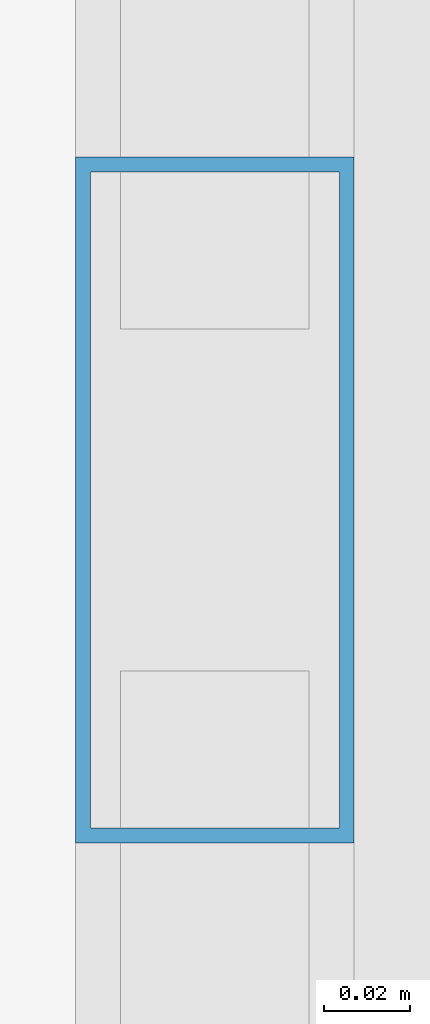
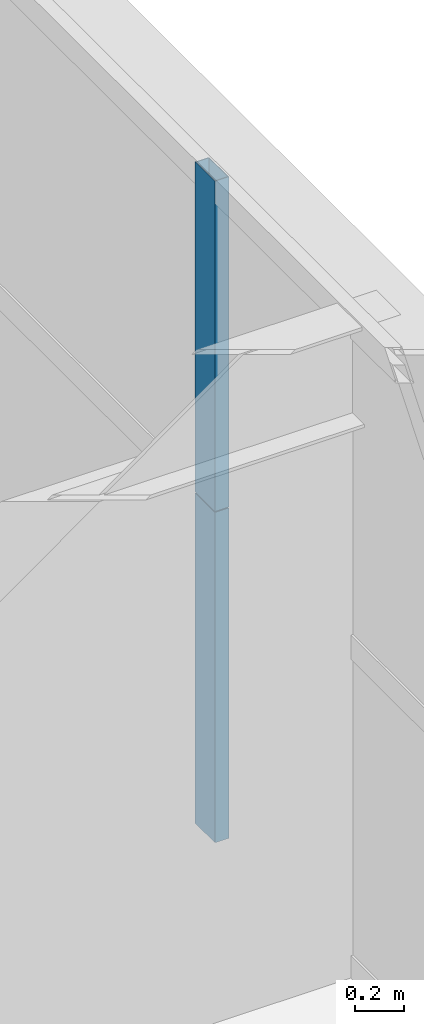
# One storey, part 25 of 42: 2 members, 1 element without a shape of its own.
"""IFC4 building model written with IfcOpenShell, lengths in metres."""

from ifc_helpers import new_model, si_unit, direction, frame, origin, origin_2d, place, context, subcontext, project, spatial, hollow_rectangle, extrude, source, transform, mapped, material, layer, layer_set, material_profile, profile_set, type_object, element, aggregate, save


model = new_model("IFC4")

# Units and contexts
model_context = context("Model", 3, precision=1e-05, world=origin(), true_north=direction((0.0, 1.0)))
body_context = subcontext(model_context, "Body", "Model", "MODEL_VIEW")
ifc_project = project(units=[si_unit("LENGTHUNIT", "METRE"), si_unit("AREAUNIT", "SQUARE_METRE"), si_unit("VOLUMEUNIT", "CUBIC_METRE"), si_unit("PLANEANGLEUNIT", "RADIAN"), si_unit("MASSUNIT", "GRAM", prefix="KILO"), si_unit("THERMODYNAMICTEMPERATUREUNIT", "KELVIN"), si_unit("POWERUNIT", "WATT")], contexts=[model_context])

# Site, building, storey
site_placement = place(None, origin())
site = spatial("IfcSite", under=ifc_project, at=site_placement, CompositionType="ELEMENT")
building_placement = place(site_placement, origin())
building = spatial("IfcBuilding", under=site, at=building_placement, Name="Yuzanri Waterfront Tower", CompositionType="ELEMENT")
storey_placement = place(building_placement, frame((0.0, 0.0, 184.5)))
storey = spatial("IfcBuildingStorey", under=building, at=storey_placement, Name="L48", CompositionType="ELEMENT", Elevation=184.5)

# Curtain wall, members
ifc_material_1 = material(Name="Anodized Architectural Bronze", Category="metal")
ifc_layer = layer(ifc_material_1, 0.159912109375)
ifc_layer_set = layer_set([ifc_layer], Name="Anodized Architectural Bronze")
curtain_wall_type = type_object("IfcCurtainWallType", Name="Anodized Bronze Mid-Rise Residential Acoustic Unitized Curtain Wall 7200", PredefinedType="NOTDEFINED", material=ifc_layer_set)
curtain_wall_placement = place(storey_placement, origin())
curtain_wall = element("IfcCurtainWall", 1, at=curtain_wall_placement, inside=storey, type_object=curtain_wall_type, Name="L48 Curtain Wall CW-L48-ER", PredefinedType="NOTDEFINED")
ifc_material_2 = material(Name="Anodized Architectural Bronze", Category="metal")
ifc_material_profile = material_profile(ifc_material_2, hollow_rectangle(XDim=0.06494140625, YDim=0.159912109375, WallThickness=0.00341796875, at=origin_2d()), Name="CWM 65x160")
ifc_profile_set = profile_set([ifc_material_profile], Name="Anodized Architectural Bronze")
member_type = type_object("IfcMemberType", Name="Anodized Bronze Upper-Zone Curtain-Wall Mullion 65x160", PredefinedType="MULLION", material=ifc_profile_set)
shared_shape = source(origin(), body_context, "Body", "SweptSolid", [
    extrude(hollow_rectangle(XDim=0.06494140625, YDim=0.159912109375, WallThickness=0.00341796875, at=origin_2d()), origin(), (0.0, 0.0, 1.0), 1.637939453125),
])
member_1_placement = place(storey_placement, frame((58.949951171875, 33.375, 0.0), z_axis=(0.0, 0.0, 1.0), x_axis=(1.0, 0.0, 0.0)))
member_1 = element("IfcMember", 2, at=member_1_placement, type_object=member_type, Name="CW-L48-ER Lower Mullion 01", PredefinedType="MULLION", context=body_context, shape_type="MappedRepresentation", body=[
    mapped(shared_shape, transform((0.0, 0.0, 0.0), scale=1.0)),
])
member_2_placement = place(storey_placement, frame((58.949951171875, 33.375, 1.64208984375), z_axis=(0.0, 0.0, 1.0), x_axis=(1.0, 0.0, 0.0)))
member_2 = element("IfcMember", 3, at=member_2_placement, type_object=member_type, Name="CW-L48-ER Upper Mullion 01", PredefinedType="MULLION", context=body_context, shape_type="MappedRepresentation", body=[
    mapped(shared_shape, transform((0.0, 0.0, 0.0), scale=1.0)),
])
aggregate(curtain_wall, [member_1, member_2])

save(model, "model.ifc")
